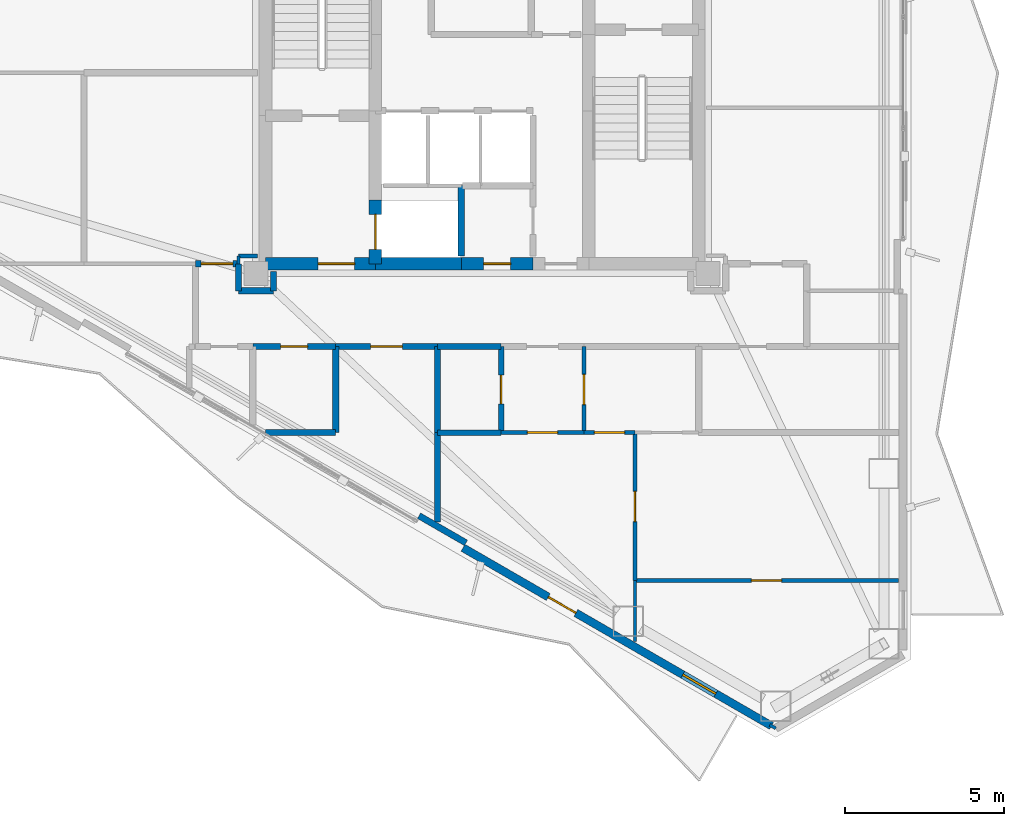
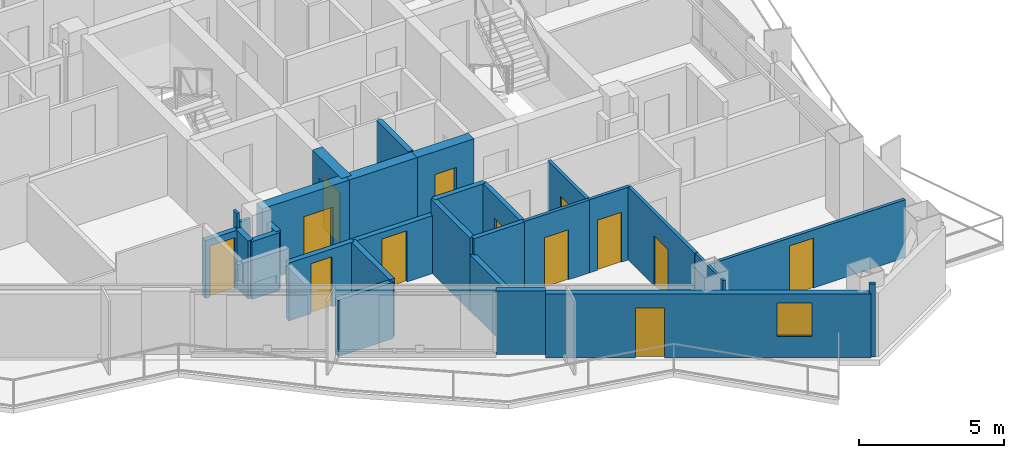
# One storey, part 12 of 18: 29 walls, 13 doors, 1 window, 14 openings.
"""IFC4 building model written with IfcOpenShell, lengths in metres."""

from ifc_helpers import new_model, si_unit, direction, frame, frame_2d, origin, place, context, subcontext, project, spatial, rectangle, extrude, material, layer, layer_set, type_object, element, fill, save


model = new_model("IFC4")

# Units and contexts
model_context = context("Model", 3, precision=1e-05, world=origin(), true_north=direction((0.0, 1.0)))
body_context = subcontext(model_context, "Body", "Model", "MODEL_VIEW")
ifc_project = project(units=[si_unit("LENGTHUNIT", "METRE"), si_unit("AREAUNIT", "SQUARE_METRE"), si_unit("VOLUMEUNIT", "CUBIC_METRE"), si_unit("PLANEANGLEUNIT", "RADIAN"), si_unit("MASSUNIT", "GRAM", prefix="KILO")], contexts=[model_context])

# Site, building, storey
site_placement = place(None, origin())
site = spatial("IfcSite", under=ifc_project, at=site_placement, CompositionType="ELEMENT")
building_placement = place(site_placement, origin())
building = spatial("IfcBuilding", under=site, at=building_placement, Name="Mersakhor Tower and Convention Hall", CompositionType="ELEMENT")
storey_placement = place(building_placement, frame((0.0, 0.0, 137.699951171875)))
storey = spatial("IfcBuildingStorey", under=building, at=storey_placement, Name="L38", CompositionType="ELEMENT", Elevation=137.699951171875)

# Wall, openings, door, window
ifc_material_1 = material(Name="Precast concrete C40/50", Category="concrete")
ifc_layer_1 = layer(ifc_material_1, 0.25)
ifc_layer_set_1 = layer_set([ifc_layer_1], Name="Precast concrete C40/50")
wall_type_1 = type_object("IfcWallType", Name="WL-EXT-250", PredefinedType="SOLIDWALL", material=ifc_layer_set_1)
wall_1_placement = place(storey_placement, frame((38.090576171875, 6.2373046875, 0.0), z_axis=(0.0, 0.0, 1.0), x_axis=(-0.86602239209, 0.500005216371, 0.0)))
wall_1 = element("IfcWall", 1, at=wall_1_placement, inside=storey, type_object=wall_type_1, Name="L38 Exterior Facade Wall F3-B1", PredefinedType="SOLIDWALL", context=body_context, shape_type="SweptSolid", body=[
    extrude(rectangle(XDim=11.18603515625, YDim=0.25, at=frame_2d((5.593017578125, 0.0))), origin(), (0.0, 0.0, 1.0), 2.679931640625),
])
opening_1_placement = place(wall_1_placement, frame((7.094970703125, 0.0, 0.0)))
opening_1 = element("IfcOpeningElement", 2, at=opening_1_placement, cuts=wall_1, Name="Opening BD-01", PredefinedType="OPENING", context=body_context, shape_type="SweptSolid", body=[
    extrude(rectangle(XDim=1.0, YDim=2.10009765625, at=frame_2d((0.5, 1.050048828125))), frame((0.0, 0.135009765625, 0.0), z_axis=(0.0, -1.0, 0.0), x_axis=(1.0, 0.0, 0.0)), (0.0, 0.0, 1.0), 0.27001953125),
])
opening_2_placement = place(wall_1_placement, frame((2.02001953125, 0.0, 0.89990234375)))
opening_2 = element("IfcOpeningElement", 3, at=opening_2_placement, cuts=wall_1, Name="Opening W-01", PredefinedType="OPENING", context=body_context, shape_type="SweptSolid", body=[
    extrude(rectangle(XDim=1.199951171875, YDim=1.39990234375, at=frame_2d((0.60009765625, 0.699951171875))), frame((0.0, 0.135009765625, 0.0), z_axis=(0.0, -1.0, 0.0), x_axis=(1.0, 0.0, 0.0)), (0.0, 0.0, 1.0), 0.27001953125),
])
ifc_material_2 = material(Name="Thermally broken dark aluminium and safety glass", Category="aluminium")
door_type_1 = type_object("IfcDoorType", Name="DR-BAL-100x210", OperationType="NOTDEFINED", PredefinedType="DOOR", material=ifc_material_2)
door_1_placement = place(opening_1_placement, origin())
door_1 = element("IfcDoor", 4, at=door_1_placement, inside=storey, type_object=door_type_1, Name="L38 Balcony Terrace Door F3-B1", OperationType="SINGLE_SWING_LEFT", OverallHeight=2.10009765625, OverallWidth=1.0, PredefinedType="DOOR", context=body_context, shape_type="SweptSolid", body=[
    extrude(rectangle(XDim=1.0, YDim=2.10009765625, at=frame_2d((0.5, 1.050048828125))), frame((0.0, 0.02490234375, 0.0), z_axis=(0.0, -1.0, 0.0), x_axis=(1.0, 0.0, 0.0)), (0.0, 0.0, 1.0), 0.050048828125),
])
fill(opening_1, door_1)
ifc_material_3 = material(Name="Dark solar low-E glazed aluminium window", Category="aluminium")
window_type = type_object("IfcWindowType", Name="WN-RES-120x150", PartitioningType="SINGLE_PANEL", PredefinedType="WINDOW", material=ifc_material_3)
window_placement = place(opening_2_placement, origin())
window = element("IfcWindow", 5, at=window_placement, inside=storey, type_object=window_type, Name="L38 Bedroom Facade Window F3-B1-1", OverallHeight=1.39990234375, OverallWidth=1.199951171875, PartitioningType="SINGLE_PANEL", PredefinedType="WINDOW", context=body_context, shape_type="SweptSolid", body=[
    extrude(rectangle(XDim=1.199951171875, YDim=1.39990234375, at=frame_2d((0.60009765625, 0.699951171875))), frame((0.0, 0.030029296875, 0.0), z_axis=(0.0, -1.0, 0.0), x_axis=(1.0, 0.0, 0.0)), (0.0, 0.0, 1.0), 0.06005859375),
])
fill(opening_2, window)

# Wall
ifc_material_4 = material(Name="Precast concrete C40/50", Category="concrete")
ifc_layer_2 = layer(ifc_material_4, 0.199951171875)
ifc_layer_set_2 = layer_set([ifc_layer_2], Name="Precast concrete C40/50")
wall_type_2 = type_object("IfcWallType", Name="WL-PAR-200", PredefinedType="PARAPET", material=ifc_layer_set_2)
wall_2_placement = place(storey_placement, frame((28.4931640625, 11.986328125, 0.0), z_axis=(0.0, 0.0, 1.0), x_axis=(-0.86605165483, 0.499954529098, 0.0)))
element("IfcWall", 6, at=wall_2_placement, inside=storey, type_object=wall_type_2, Name="L38 Column Pier Cladding Wall F3-C1", PredefinedType="PARAPET", context=body_context, shape_type="SweptSolid", body=[
    extrude(rectangle(XDim=1.699951171875, YDim=0.199951171875, at=frame_2d((0.85009765625, 0.0))), origin(), (0.0, 0.0, 1.0), 2.679931640625),
])

# Wall, opening, door
ifc_material_5 = material(Name="Moisture-resistant acoustic drywall studwork", Category="other")
ifc_layer_3 = layer(ifc_material_5, 0.175048828125)
ifc_layer_set_3 = layer_set([ifc_layer_3], Name="Moisture-resistant acoustic drywall studwork")
wall_type_3 = type_object("IfcWallType", Name="WL-PLM-175", PredefinedType="PLUMBINGWALL", material=ifc_layer_set_3)
wall_3_placement = place(storey_placement, frame((29.60009765625, 15.449951171875, 0.0), z_axis=(0.0, 0.0, 1.0), x_axis=(0.0, 1.0, 0.0)))
wall_3 = element("IfcWall", 7, at=wall_3_placement, inside=storey, type_object=wall_type_3, Name="L38 Interior Partition Wall P-056", PredefinedType="PLUMBINGWALL", context=body_context, shape_type="SweptSolid", body=[
    extrude(rectangle(XDim=2.699951171875, YDim=0.175048828125, at=frame_2d((1.35009765625, 0.0))), origin(), (0.0, 0.0, 1.0), 3.06005859375),
])
opening_3_placement = place(wall_3_placement, frame((0.89990234375, 0.0, 0.0)))
opening_3 = element("IfcOpeningElement", 8, at=opening_3_placement, cuts=wall_3, Name="Opening WD-01", PredefinedType="OPENING", context=body_context, shape_type="SweptSolid", body=[
    extrude(rectangle(XDim=0.89990234375, YDim=2.10009765625, at=frame_2d((0.449951171875, 1.050048828125))), frame((0.0, 0.097412109375, 0.0), z_axis=(0.0, -1.0, 0.0), x_axis=(1.0, 0.0, 0.0)), (0.0, 0.0, 1.0), 0.195068359375),
])
ifc_material_6 = material(Name="Solid-core hardwood leaf in painted steel frame", Category="steel")
door_type_2 = type_object("IfcDoorType", Name="DR-INT-WET-090x210", OperationType="NOTDEFINED", PredefinedType="DOOR", material=ifc_material_6)
door_2_placement = place(opening_3_placement, origin())
door_2 = element("IfcDoor", 9, at=door_2_placement, inside=storey, type_object=door_type_2, Name="L38 L38 Flat S3 Apartment Hall to L38 Flat S3 Bathroom Door", OperationType="SINGLE_SWING_LEFT", OverallHeight=2.10009765625, OverallWidth=0.89990234375, PredefinedType="DOOR", context=body_context, shape_type="SweptSolid", body=[
    extrude(rectangle(XDim=0.89990234375, YDim=2.10009765625, at=frame_2d((0.449951171875, 1.050048828125))), frame((0.0, 0.02490234375, 0.0), z_axis=(0.0, -1.0, 0.0), x_axis=(1.0, 0.0, 0.0)), (0.0, 0.0, 1.0), 0.050048828125),
])
fill(opening_3, door_2)

# Walls
wall_4_placement = place(storey_placement, frame((29.60009765625, 15.449951171875, 0.0), z_axis=(0.0, 0.0, 1.0), x_axis=(-1.0, 0.0, 0.0)))
element("IfcWall", 10, at=wall_4_placement, inside=storey, type_object=wall_type_3, Name="L38 Interior Partition Wall P-074", PredefinedType="PLUMBINGWALL", context=body_context, shape_type="SweptSolid", body=[
    extrude(rectangle(XDim=2.0, YDim=0.175048828125, at=frame_2d((1.0, 0.0))), origin(), (0.0, 0.0, 1.0), 3.06005859375),
])
ifc_material_7 = material(Name="Lightweight gypsum partition", Category="other")
ifc_layer_4 = layer(ifc_material_7, 0.10009765625)
ifc_layer_set_4 = layer_set([ifc_layer_4], Name="Lightweight gypsum partition")
wall_type_4 = type_object("IfcWallType", Name="WL-PRT-100", PredefinedType="PARTITIONING", material=ifc_layer_set_4)
wall_5_placement = place(storey_placement, frame((21.35009765625, 21.0, 0.0), z_axis=(0.0, 0.0, 1.0), x_axis=(0.0, -1.0, 0.0)))
element("IfcWall", 11, at=wall_5_placement, inside=storey, type_object=wall_type_4, Name="L38 Interior Partition Wall P-096", PredefinedType="PARTITIONING", context=body_context, shape_type="SweptSolid", body=[
    extrude(rectangle(XDim=0.25, YDim=0.10009765625, at=frame_2d((0.125, 0.0))), origin(), (0.0, 0.0, 1.0), 3.06005859375),
])
wall_6_placement = place(storey_placement, frame((33.800048828125, 10.81005859375, 0.0), z_axis=(0.0, 0.0, 1.0), x_axis=(0.0, -1.0, 0.0)))
element("IfcWall", 12, at=wall_6_placement, inside=storey, type_object=wall_type_4, Name="L38 Interior Partition Wall P-120", PredefinedType="PARTITIONING", context=body_context, shape_type="SweptSolid", body=[
    extrude(rectangle(XDim=1.92333984375, YDim=0.10009765625, at=frame_2d((0.961669921875, 0.0))), origin(), (0.0, 0.0, 1.0), 3.06005859375),
])
wall_7_placement = place(storey_placement, frame((38.220703125, 6.162109375, 0.0), z_axis=(0.0, 0.0, 1.0), x_axis=(-0.865581379588, 0.500768285049, 0.0)))
element("IfcWall", 13, at=wall_7_placement, inside=storey, type_object=wall_type_4, Name="L38 Interior Partition Wall P-122", PredefinedType="PARTITIONING", context=body_context, shape_type="SweptSolid", body=[
    extrude(rectangle(XDim=0.215576171875, YDim=0.10009765625, at=frame_2d((0.10791015625, 0.0))), origin(), (0.0, 0.0, 1.0), 3.06005859375),
])

# Wall, opening, door
ifc_material_8 = material(Name="Gypsum board acoustic partition", Category="other")
ifc_layer_5 = layer(ifc_material_8, 0.125)
ifc_layer_set_5 = layer_set([ifc_layer_5], Name="Gypsum board acoustic partition")
wall_type_5 = type_object("IfcWallType", Name="WL-PRT-125", PredefinedType="PARTITIONING", material=ifc_layer_set_5)
wall_8_placement = place(storey_placement, frame((32.199951171875, 15.449951171875, 0.0), z_axis=(0.0, 0.0, 1.0), x_axis=(-1.0, 0.0, 0.0)))
wall_8 = element("IfcWall", 14, at=wall_8_placement, inside=storey, type_object=wall_type_5, Name="L38 Interior Partition Wall P-055", PredefinedType="PARTITIONING", context=body_context, shape_type="SweptSolid", body=[
    extrude(rectangle(XDim=2.599853515625, YDim=0.125, at=frame_2d((1.2998046875, 0.0))), origin(), (0.0, 0.0, 1.0), 3.06005859375),
])
opening_4_placement = place(wall_8_placement, frame((0.824951171875, 0.0, 0.0)))
opening_4 = element("IfcOpeningElement", 15, at=opening_4_placement, cuts=wall_8, Name="Opening RD-01", PredefinedType="OPENING", context=body_context, shape_type="SweptSolid", body=[
    extrude(rectangle(XDim=0.949951171875, YDim=2.10009765625, at=frame_2d((0.47509765625, 1.050048828125))), frame((0.0, 0.072509765625, 0.0), z_axis=(0.0, -1.0, 0.0), x_axis=(1.0, 0.0, 0.0)), (0.0, 0.0, 1.0), 0.14501953125),
])
ifc_material_9 = material(Name="Solid-core hardwood leaf in painted steel frame", Category="steel")
door_type_3 = type_object("IfcDoorType", Name="DR-INT-RM-095x210", OperationType="NOTDEFINED", PredefinedType="DOOR", material=ifc_material_9)
door_3_placement = place(opening_4_placement, origin())
door_3 = element("IfcDoor", 16, at=door_3_placement, inside=storey, type_object=door_type_3, Name="L38 L38 Flat S3 Apartment Hall to L38 Flat S3 Living and Dining Room Door", OperationType="SINGLE_SWING_LEFT", OverallHeight=2.10009765625, OverallWidth=0.949951171875, PredefinedType="DOOR", context=body_context, shape_type="SweptSolid", body=[
    extrude(rectangle(XDim=0.949951171875, YDim=2.10009765625, at=frame_2d((0.47509765625, 1.050048828125))), frame((0.0, 0.02490234375, 0.0), z_axis=(0.0, -1.0, 0.0), x_axis=(1.0, 0.0, 0.0)), (0.0, 0.0, 1.0), 0.050048828125),
])
fill(opening_4, door_3)

wall_9_placement = place(storey_placement, frame((32.199951171875, 18.14990234375, 0.0), z_axis=(0.0, 0.0, 1.0), x_axis=(0.0, -1.0, 0.0)))
wall_9 = element("IfcWall", 17, at=wall_9_placement, inside=storey, type_object=wall_type_5, Name="L38 Interior Partition Wall P-057", PredefinedType="PARTITIONING", context=body_context, shape_type="SweptSolid", body=[
    extrude(rectangle(XDim=2.699951171875, YDim=0.125, at=frame_2d((1.35009765625, 0.0))), origin(), (0.0, 0.0, 1.0), 3.06005859375),
])
opening_5_placement = place(wall_9_placement, frame((0.875, 0.0, 0.0)))
opening_5 = element("IfcOpeningElement", 18, at=opening_5_placement, cuts=wall_9, Name="Opening RD-01", PredefinedType="OPENING", context=body_context, shape_type="SweptSolid", body=[
    extrude(rectangle(XDim=0.949951171875, YDim=2.10009765625, at=frame_2d((0.47509765625, 1.050048828125))), frame((0.0, 0.072509765625, 0.0), z_axis=(0.0, -1.0, 0.0), x_axis=(1.0, 0.0, 0.0)), (0.0, 0.0, 1.0), 0.14501953125),
])
door_4_placement = place(opening_5_placement, origin())
door_4 = element("IfcDoor", 19, at=door_4_placement, inside=storey, type_object=door_type_3, Name="L38 L38 Flat S3 Apartment Hall to L38 Flat S3 Kitchen Door", OperationType="SINGLE_SWING_RIGHT", OverallHeight=2.10009765625, OverallWidth=0.949951171875, PredefinedType="DOOR", context=body_context, shape_type="SweptSolid", body=[
    extrude(rectangle(XDim=0.949951171875, YDim=2.10009765625, at=frame_2d((0.47509765625, 1.050048828125))), frame((0.0, 0.02490234375, 0.0), z_axis=(0.0, -1.0, 0.0), x_axis=(1.0, 0.0, 0.0)), (0.0, 0.0, 1.0), 0.050048828125),
])
fill(opening_5, door_4)

wall_10_placement = place(storey_placement, frame((33.800048828125, 15.449951171875, 0.0), z_axis=(0.0, 0.0, 1.0), x_axis=(-1.0, 0.0, 0.0)))
wall_10 = element("IfcWall", 20, at=wall_10_placement, inside=storey, type_object=wall_type_5, Name="L38 Interior Partition Wall P-077", PredefinedType="PARTITIONING", context=body_context, shape_type="SweptSolid", body=[
    extrude(rectangle(XDim=1.60009765625, YDim=0.125, at=frame_2d((0.800048828125, 0.0))), origin(), (0.0, 0.0, 1.0), 3.06005859375),
])
opening_6_placement = place(wall_10_placement, frame((0.324951171875, 0.0, 0.0)))
opening_6 = element("IfcOpeningElement", 21, at=opening_6_placement, cuts=wall_10, Name="Opening RD-01", PredefinedType="OPENING", context=body_context, shape_type="SweptSolid", body=[
    extrude(rectangle(XDim=0.949951171875, YDim=2.10009765625, at=frame_2d((0.47509765625, 1.050048828125))), frame((0.0, 0.072509765625, 0.0), z_axis=(0.0, -1.0, 0.0), x_axis=(1.0, 0.0, 0.0)), (0.0, 0.0, 1.0), 0.14501953125),
])
door_5_placement = place(opening_6_placement, origin())
door_5 = element("IfcDoor", 22, at=door_5_placement, inside=storey, type_object=door_type_3, Name="L38 L38 Flat S3 Kitchen to L38 Flat S3 Living and Dining Room Door", OperationType="SINGLE_SWING_LEFT", OverallHeight=2.10009765625, OverallWidth=0.949951171875, PredefinedType="DOOR", context=body_context, shape_type="SweptSolid", body=[
    extrude(rectangle(XDim=0.949951171875, YDim=2.10009765625, at=frame_2d((0.47509765625, 1.050048828125))), frame((0.0, 0.02490234375, 0.0), z_axis=(0.0, -1.0, 0.0), x_axis=(1.0, 0.0, 0.0)), (0.0, 0.0, 1.0), 0.050048828125),
])
fill(opening_6, door_5)

# Wall
wall_11_placement = place(storey_placement, frame((21.949951171875, 21.0, 0.0), z_axis=(0.0, 0.0, 1.0), x_axis=(-1.0, 0.0, 0.0)))
element("IfcWall", 23, at=wall_11_placement, inside=storey, type_object=wall_type_5, Name="L38 Interior Partition Wall P-095", PredefinedType="PARTITIONING", context=body_context, shape_type="SweptSolid", body=[
    extrude(rectangle(XDim=0.599853515625, YDim=0.125, at=frame_2d((0.2998046875, 0.0))), origin(), (0.0, 0.0, 1.0), 2.50830078125),
])

# Wall, opening, door
wall_12_placement = place(storey_placement, frame((33.800048828125, 15.449951171875, 0.0), z_axis=(0.0, 0.0, 1.0), x_axis=(0.0, -1.0, 0.0)))
wall_12 = element("IfcWall", 24, at=wall_12_placement, inside=storey, type_object=wall_type_5, Name="L38 Interior Partition Wall P-119", PredefinedType="PARTITIONING", context=body_context, shape_type="SweptSolid", body=[
    extrude(rectangle(XDim=4.639892578125, YDim=0.125, at=frame_2d((2.31982421875, 0.0))), origin(), (0.0, 0.0, 1.0), 3.06005859375),
])
opening_7_placement = place(wall_12_placement, frame((1.844970703125, 0.0, 0.0)))
opening_7 = element("IfcOpeningElement", 25, at=opening_7_placement, cuts=wall_12, Name="Opening RD-01", PredefinedType="OPENING", context=body_context, shape_type="SweptSolid", body=[
    extrude(rectangle(XDim=0.949951171875, YDim=2.10009765625, at=frame_2d((0.47509765625, 1.050048828125))), frame((0.0, 0.072509765625, 0.0), z_axis=(0.0, -1.0, 0.0), x_axis=(1.0, 0.0, 0.0)), (0.0, 0.0, 1.0), 0.14501953125),
])
door_6_placement = place(opening_7_placement, origin())
door_6 = element("IfcDoor", 26, at=door_6_placement, inside=storey, type_object=door_type_3, Name="L38 L38 Flat S3 Living and Dining Room to L38 Flat S3 Dining Room Door", OperationType="SINGLE_SWING_LEFT", OverallHeight=2.10009765625, OverallWidth=0.949951171875, PredefinedType="DOOR", context=body_context, shape_type="SweptSolid", body=[
    extrude(rectangle(XDim=0.949951171875, YDim=2.10009765625, at=frame_2d((0.47509765625, 1.050048828125))), frame((0.0, 0.02490234375, 0.0), z_axis=(0.0, -1.0, 0.0), x_axis=(1.0, 0.0, 0.0)), (0.0, 0.0, 1.0), 0.050048828125),
])
fill(opening_7, door_6)

wall_13_placement = place(storey_placement, frame((33.800048828125, 10.81005859375, 0.0), z_axis=(0.0, 0.0, 1.0), x_axis=(1.0, 0.0, 0.0)))
wall_13 = element("IfcWall", 27, at=wall_13_placement, inside=storey, type_object=wall_type_5, Name="L38 Interior Partition Wall P-121", PredefinedType="PARTITIONING", context=body_context, shape_type="SweptSolid", body=[
    extrude(rectangle(XDim=8.270263671875, YDim=0.125, at=frame_2d((4.13525390625, 0.0))), origin(), (0.0, 0.0, 1.0), 2.432861328125),
])
opening_8_placement = place(wall_13_placement, frame((3.66015625, 0.0, 0.0)))
opening_8 = element("IfcOpeningElement", 28, at=opening_8_placement, cuts=wall_13, Name="Opening RD-01", PredefinedType="OPENING", context=body_context, shape_type="SweptSolid", body=[
    extrude(rectangle(XDim=0.949951171875, YDim=2.10009765625, at=frame_2d((0.47509765625, 1.050048828125))), frame((0.0, 0.072509765625, 0.0), z_axis=(0.0, -1.0, 0.0), x_axis=(1.0, 0.0, 0.0)), (0.0, 0.0, 1.0), 0.14501953125),
])
door_7_placement = place(opening_8_placement, origin())
door_7 = element("IfcDoor", 29, at=door_7_placement, inside=storey, type_object=door_type_3, Name="L38 L38 Flat S3 Bedroom 1 to L38 Flat S3 Dining Room Door", OperationType="SINGLE_SWING_RIGHT", OverallHeight=2.10009765625, OverallWidth=0.949951171875, PredefinedType="DOOR", context=body_context, shape_type="SweptSolid", body=[
    extrude(rectangle(XDim=0.949951171875, YDim=2.10009765625, at=frame_2d((0.47509765625, 1.050048828125))), frame((0.0, 0.02490234375, 0.0), z_axis=(0.0, -1.0, 0.0), x_axis=(1.0, 0.0, 0.0)), (0.0, 0.0, 1.0), 0.050048828125),
])
fill(opening_8, door_7)

# Walls
ifc_material_10 = material(Name="Acoustic concrete blockwork and gypsum board", Category="masonry")
ifc_layer_6 = layer(ifc_material_10, 0.199951171875)
ifc_layer_set_6 = layer_set([ifc_layer_6], Name="Acoustic concrete blockwork and gypsum board")
wall_type_6 = type_object("IfcWallType", Name="WL-PRT-200", PredefinedType="PARTITIONING", material=ifc_layer_set_6)
wall_14_placement = place(storey_placement, frame((28.35009765625, 23.199951171875, 0.0), z_axis=(0.0, 0.0, 1.0), x_axis=(0.0, -1.0, 0.0)))
element("IfcWall", 30, at=wall_14_placement, inside=storey, type_object=wall_type_6, Name="L38 Interior Partition Wall P-003", PredefinedType="PARTITIONING", context=body_context, shape_type="SweptSolid", body=[
    extrude(rectangle(XDim=2.199951171875, YDim=0.199951171875, at=frame_2d((1.10009765625, 0.0))), origin(), (0.0, 0.0, 1.0), 3.06005859375),
])
wall_15_placement = place(storey_placement, frame((22.449951171875, 19.89990234375, 0.0), z_axis=(0.0, 0.0, 1.0), x_axis=(0.0, 1.0, 0.0)))
element("IfcWall", 31, at=wall_15_placement, inside=storey, type_object=wall_type_6, Name="L38 Interior Partition Wall P-034", PredefinedType="PARTITIONING", context=body_context, shape_type="SweptSolid", body=[
    extrude(rectangle(XDim=0.60009765625, YDim=0.199951171875, at=frame_2d((0.300048828125, 0.0))), origin(), (0.0, 0.0, 1.0), 2.432861328125),
])
wall_16_placement = place(storey_placement, frame((29.60009765625, 18.14990234375, 0.0), z_axis=(0.0, 0.0, 1.0), x_axis=(-1.0, 0.0, 0.0)))
element("IfcWall", 32, at=wall_16_placement, inside=storey, type_object=wall_type_6, Name="L38 Interior Partition Wall P-044", PredefinedType="PARTITIONING", context=body_context, shape_type="SweptSolid", body=[
    extrude(rectangle(XDim=2.0, YDim=0.199951171875, at=frame_2d((1.0, 0.0))), origin(), (0.0, 0.0, 1.0), 3.06005859375),
])

# Wall, opening, door
wall_17_placement = place(storey_placement, frame((27.60009765625, 18.14990234375, 0.0), z_axis=(0.0, 0.0, 1.0), x_axis=(-1.0, 0.0, 0.0)))
wall_17 = element("IfcWall", 33, at=wall_17_placement, inside=storey, type_object=wall_type_6, Name="L38 Interior Partition Wall P-045", PredefinedType="PARTITIONING", context=body_context, shape_type="SweptSolid", body=[
    extrude(rectangle(XDim=3.2001953125, YDim=0.199951171875, at=frame_2d((1.60009765625, 0.0))), origin(), (0.0, 0.0, 1.0), 2.432861328125),
])
opening_9_placement = place(wall_17_placement, frame((1.10009765625, 0.0, 0.0)))
opening_9 = element("IfcOpeningElement", 34, at=opening_9_placement, cuts=wall_17, Name="Opening FD-01", PredefinedType="OPENING", context=body_context, shape_type="SweptSolid", body=[
    extrude(rectangle(XDim=1.0, YDim=2.14990234375, at=frame_2d((0.5, 1.074951171875))), frame((0.0, 0.10986328125, 0.0), z_axis=(0.0, -1.0, 0.0), x_axis=(1.0, 0.0, 0.0)), (0.0, 0.0, 1.0), 0.219970703125),
])
ifc_material_11 = material(Name="Fire-rated hardwood leaf and painted steel frame", Category="steel")
door_type_4 = type_object("IfcDoorType", Name="DR-INT-FLT-100x215", OperationType="NOTDEFINED", PredefinedType="DOOR", material=ifc_material_11)
door_8_placement = place(opening_9_placement, origin())
door_8 = element("IfcDoor", 35, at=door_8_placement, inside=storey, type_object=door_type_4, Name="L38 Residential South Gallery Corridor to L38 Floor Shared Tea Pantry 2-3 Door", OperationType="SINGLE_SWING_LEFT", OverallHeight=2.14990234375, OverallWidth=1.0, PredefinedType="DOOR", context=body_context, shape_type="SweptSolid", body=[
    extrude(rectangle(XDim=1.0, YDim=2.14990234375, at=frame_2d((0.5, 1.074951171875))), frame((0.0, 0.02490234375, 0.0), z_axis=(0.0, -1.0, 0.0), x_axis=(1.0, 0.0, 0.0)), (0.0, 0.0, 1.0), 0.050048828125),
])
fill(opening_9, door_8)

wall_18_placement = place(storey_placement, frame((24.39990234375, 18.14990234375, 0.0), z_axis=(0.0, 0.0, 1.0), x_axis=(-1.0, 0.0, 0.0)))
wall_18 = element("IfcWall", 36, at=wall_18_placement, inside=storey, type_object=wall_type_6, Name="L38 Interior Partition Wall P-046", PredefinedType="PARTITIONING", context=body_context, shape_type="SweptSolid", body=[
    extrude(rectangle(XDim=2.599853515625, YDim=0.199951171875, at=frame_2d((1.2998046875, 0.0))), origin(), (0.0, 0.0, 1.0), 2.432861328125),
])
opening_10_placement = place(wall_18_placement, frame((0.875, 0.0, 0.0)))
opening_10 = element("IfcOpeningElement", 37, at=opening_10_placement, cuts=wall_18, Name="Opening SVD-01", PredefinedType="OPENING", context=body_context, shape_type="SweptSolid", body=[
    extrude(rectangle(XDim=0.85009765625, YDim=2.10009765625, at=frame_2d((0.425048828125, 1.050048828125))), frame((0.0, 0.10986328125, 0.0), z_axis=(0.0, -1.0, 0.0), x_axis=(1.0, 0.0, 0.0)), (0.0, 0.0, 1.0), 0.219970703125),
])
ifc_material_12 = material(Name="Fire-rated hardwood leaf and painted steel frame", Category="steel")
door_type_5 = type_object("IfcDoorType", Name="DR-INT-SVC-085x210", OperationType="NOTDEFINED", PredefinedType="DOOR", material=ifc_material_12)
door_9_placement = place(opening_10_placement, origin())
door_9 = element("IfcDoor", 38, at=door_9_placement, inside=storey, type_object=door_type_5, Name="L38 Residential South Gallery Corridor to L38 Floor Household Store Room 2-1 Door", OperationType="SINGLE_SWING_RIGHT", OverallHeight=2.10009765625, OverallWidth=0.85009765625, PredefinedType="DOOR", context=body_context, shape_type="SweptSolid", body=[
    extrude(rectangle(XDim=0.85009765625, YDim=2.10009765625, at=frame_2d((0.425048828125, 1.050048828125))), frame((0.0, 0.02490234375, 0.0), z_axis=(0.0, -1.0, 0.0), x_axis=(1.0, 0.0, 0.0)), (0.0, 0.0, 1.0), 0.050048828125),
])
fill(opening_10, door_9)

wall_19_placement = place(storey_placement, frame((20.0, 20.75, 0.0), z_axis=(0.0, 0.0, 1.0), x_axis=(1.0, 0.0, 0.0)))
wall_19 = element("IfcWall", 39, at=wall_19_placement, inside=storey, type_object=wall_type_6, Name="L38 Interior Partition Wall P-049", PredefinedType="PARTITIONING", context=body_context, shape_type="SweptSolid", body=[
    extrude(rectangle(XDim=1.35009765625, YDim=0.199951171875, at=frame_2d((0.675048828125, 0.0))), origin(), (0.0, 0.0, 1.0), 2.432861328125),
])
opening_11_placement = place(wall_19_placement, frame((0.175048828125, 0.0, 0.0)))
opening_11 = element("IfcOpeningElement", 40, at=opening_11_placement, cuts=wall_19, Name="Opening FD-01", PredefinedType="OPENING", context=body_context, shape_type="SweptSolid", body=[
    extrude(rectangle(XDim=1.0, YDim=2.14990234375, at=frame_2d((0.5, 1.074951171875))), frame((0.0, 0.10986328125, 0.0), z_axis=(0.0, -1.0, 0.0), x_axis=(1.0, 0.0, 0.0)), (0.0, 0.0, 1.0), 0.219970703125),
])
door_10_placement = place(opening_11_placement, origin())
door_10 = element("IfcDoor", 41, at=door_10_placement, inside=storey, type_object=door_type_4, Name="L38 Residential South Gallery Corridor to L38 West Wing Quiet Study Room Door", OperationType="SINGLE_SWING_RIGHT", OverallHeight=2.14990234375, OverallWidth=1.0, PredefinedType="DOOR", context=body_context, shape_type="SweptSolid", body=[
    extrude(rectangle(XDim=1.0, YDim=2.14990234375, at=frame_2d((0.5, 1.074951171875))), frame((0.0, 0.02490234375, 0.0), z_axis=(0.0, -1.0, 0.0), x_axis=(1.0, 0.0, 0.0)), (0.0, 0.0, 1.0), 0.050048828125),
])
fill(opening_11, door_10)

# Walls
wall_20_placement = place(storey_placement, frame((21.35009765625, 20.75, 0.0), z_axis=(0.0, 0.0, 1.0), x_axis=(0.0, -1.0, 0.0)))
element("IfcWall", 42, at=wall_20_placement, inside=storey, type_object=wall_type_6, Name="L38 Interior Partition Wall P-050", PredefinedType="PARTITIONING", context=body_context, shape_type="SweptSolid", body=[
    extrude(rectangle(XDim=0.85009765625, YDim=0.199951171875, at=frame_2d((0.425048828125, 0.0))), origin(), (0.0, 0.0, 1.0), 2.432861328125),
])
wall_21_placement = place(storey_placement, frame((21.35009765625, 19.89990234375, 0.0), z_axis=(0.0, 0.0, 1.0), x_axis=(1.0, 0.0, 0.0)))
element("IfcWall", 43, at=wall_21_placement, inside=storey, type_object=wall_type_6, Name="L38 Interior Partition Wall P-051", PredefinedType="PARTITIONING", context=body_context, shape_type="SweptSolid", body=[
    extrude(rectangle(XDim=1.099853515625, YDim=0.199951171875, at=frame_2d((0.5498046875, 0.0))), origin(), (0.0, 0.0, 1.0), 2.432861328125),
])
wall_22_placement = place(storey_placement, frame((27.60009765625, 15.449951171875, 0.0), z_axis=(0.0, 0.0, 1.0), x_axis=(0.0, 1.0, 0.0)))
element("IfcWall", 44, at=wall_22_placement, inside=storey, type_object=wall_type_6, Name="L38 Interior Partition Wall P-075", PredefinedType="PARTITIONING", context=body_context, shape_type="SweptSolid", body=[
    extrude(rectangle(XDim=2.699951171875, YDim=0.199951171875, at=frame_2d((1.35009765625, 0.0))), origin(), (0.0, 0.0, 1.0), 3.06005859375),
])
wall_23_placement = place(storey_placement, frame((24.39990234375, 18.14990234375, 0.0), z_axis=(0.0, 0.0, 1.0), x_axis=(0.0, -1.0, 0.0)))
element("IfcWall", 45, at=wall_23_placement, inside=storey, type_object=wall_type_6, Name="L38 Interior Partition Wall P-116", PredefinedType="PARTITIONING", context=body_context, shape_type="SweptSolid", body=[
    extrude(rectangle(XDim=2.699951171875, YDim=0.199951171875, at=frame_2d((1.35009765625, 0.0))), origin(), (0.0, 0.0, 1.0), 2.432861328125),
])
wall_24_placement = place(storey_placement, frame((24.39990234375, 15.449951171875, 0.0), z_axis=(0.0, 0.0, 1.0), x_axis=(-1.0, 0.0, 0.0)))
element("IfcWall", 46, at=wall_24_placement, inside=storey, type_object=wall_type_6, Name="L38 Interior Partition Wall P-117", PredefinedType="PARTITIONING", context=body_context, shape_type="SweptSolid", body=[
    extrude(rectangle(XDim=2.197021484375, YDim=0.199951171875, at=frame_2d((1.0986328125, 0.0))), origin(), (0.0, 0.0, 1.0), 2.364990234375),
])
wall_25_placement = place(storey_placement, frame((27.60009765625, 15.449951171875, 0.0), z_axis=(0.0, 0.0, 1.0), x_axis=(0.0, -1.0, 0.0)))
element("IfcWall", 47, at=wall_25_placement, inside=storey, type_object=wall_type_6, Name="L38 Interior Partition Wall P-118", PredefinedType="PARTITIONING", context=body_context, shape_type="SweptSolid", body=[
    extrude(rectangle(XDim=2.804931640625, YDim=0.199951171875, at=frame_2d((1.40234375, 0.0))), origin(), (0.0, 0.0, 1.0), 2.364990234375),
])

# Wall, opening, door
ifc_material_13 = material(Name="Concrete C60/75", Category="concrete")
ifc_layer_7 = layer(ifc_material_13, 0.39990234375)
ifc_layer_set_7 = layer_set([ifc_layer_7], Name="Concrete C60/75")
wall_type_7 = type_object("IfcWallType", Name="WL-SHR-400", PredefinedType="SHEAR", material=ifc_layer_set_7)
wall_26_placement = place(storey_placement, frame((30.60009765625, 20.75, 0.0), z_axis=(0.0, 0.0, 1.0), x_axis=(-1.0, 0.0, 0.0)))
wall_26 = element("IfcWall", 48, at=wall_26_placement, inside=storey, type_object=wall_type_7, Name="L38 Core Wall CW-S2B", PredefinedType="SHEAR", context=body_context, shape_type="SweptSolid", body=[
    extrude(rectangle(XDim=2.25, YDim=0.39990234375, at=frame_2d((1.125, 0.0))), origin(), (0.0, 0.0, 1.0), 3.06005859375),
])
opening_12_placement = place(wall_26_placement, frame((0.699951171875, 0.0, 0.0)))
opening_12 = element("IfcOpeningElement", 49, at=opening_12_placement, cuts=wall_26, Name="Opening SVD-01", PredefinedType="OPENING", context=body_context, shape_type="SweptSolid", body=[
    extrude(rectangle(XDim=0.85009765625, YDim=2.10009765625, at=frame_2d((0.425048828125, 1.050048828125))), frame((0.0, 0.2099609375, 0.0), z_axis=(0.0, -1.0, 0.0), x_axis=(1.0, 0.0, 0.0)), (0.0, 0.0, 1.0), 0.419921875),
])
door_11_placement = place(opening_12_placement, origin())
door_11 = element("IfcDoor", 50, at=door_11_placement, inside=storey, type_object=door_type_5, Name="L38 Residential South Gallery Corridor to Electrical Distribution Room Door", OperationType="SINGLE_SWING_RIGHT", OverallHeight=2.10009765625, OverallWidth=0.85009765625, PredefinedType="DOOR", context=body_context, shape_type="SweptSolid", body=[
    extrude(rectangle(XDim=0.85009765625, YDim=2.10009765625, at=frame_2d((0.425048828125, 1.050048828125))), frame((0.0, 0.02490234375, 0.0), z_axis=(0.0, -1.0, 0.0), x_axis=(1.0, 0.0, 0.0)), (0.0, 0.0, 1.0), 0.050048828125),
])
fill(opening_12, door_11)

# Wall
wall_27_placement = place(storey_placement, frame((28.35009765625, 20.75, 0.0), z_axis=(0.0, 0.0, 1.0), x_axis=(-1.0, 0.0, 0.0)))
element("IfcWall", 51, at=wall_27_placement, inside=storey, type_object=wall_type_7, Name="L38 Core Wall CW-S3", PredefinedType="SHEAR", context=body_context, shape_type="SweptSolid", body=[
    extrude(rectangle(XDim=2.7001953125, YDim=0.39990234375, at=frame_2d((1.35009765625, 0.0))), origin(), (0.0, 0.0, 1.0), 3.06005859375),
])

# Wall, opening, door
wall_28_placement = place(storey_placement, frame((25.64990234375, 20.75, 0.0), z_axis=(0.0, 0.0, 1.0), x_axis=(-1.0, 0.0, 0.0)))
wall_28 = element("IfcWall", 52, at=wall_28_placement, inside=storey, type_object=wall_type_7, Name="L38 Core Wall CW-S4", PredefinedType="SHEAR", context=body_context, shape_type="SweptSolid", body=[
    extrude(rectangle(XDim=3.449951171875, YDim=0.39990234375, at=frame_2d((1.72509765625, 0.0))), origin(), (0.0, 0.0, 1.0), 3.06005859375),
])
opening_13_placement = place(wall_28_placement, frame((0.64990234375, 0.0, 0.0)))
opening_13 = element("IfcOpeningElement", 53, at=opening_13_placement, cuts=wall_28, Name="Opening SD-01", PredefinedType="OPENING", context=body_context, shape_type="SweptSolid", body=[
    extrude(rectangle(XDim=1.14990234375, YDim=2.14990234375, at=frame_2d((0.574951171875, 1.074951171875))), frame((0.0, 0.2099609375, 0.0), z_axis=(0.0, -1.0, 0.0), x_axis=(1.0, 0.0, 0.0)), (0.0, 0.0, 1.0), 0.419921875),
])
ifc_material_14 = material(Name="Fire-rated hardwood leaf and painted steel frame", Category="steel")
door_type_6 = type_object("IfcDoorType", Name="DR-INT-STAIR-115x215", OperationType="NOTDEFINED", PredefinedType="DOOR", material=ifc_material_14)
door_12_placement = place(opening_13_placement, origin())
door_12 = element("IfcDoor", 54, at=door_12_placement, inside=storey, type_object=door_type_6, Name="L38 Firefighting Lobby West Fire Door", OperationType="SINGLE_SWING_LEFT", OverallHeight=2.14990234375, OverallWidth=1.14990234375, PredefinedType="DOOR", context=body_context, shape_type="SweptSolid", body=[
    extrude(rectangle(XDim=1.14990234375, YDim=2.14990234375, at=frame_2d((0.574951171875, 1.074951171875))), frame((0.0, 0.02490234375, 0.0), z_axis=(0.0, -1.0, 0.0), x_axis=(1.0, 0.0, 0.0)), (0.0, 0.0, 1.0), 0.050048828125),
])
fill(opening_13, door_12)

wall_29_placement = place(storey_placement, frame((25.64990234375, 20.75, 0.0), z_axis=(0.0, 0.0, 1.0), x_axis=(0.0, 1.0, 0.0)))
wall_29 = element("IfcWall", 55, at=wall_29_placement, inside=storey, type_object=wall_type_7, Name="L38 Core Wall CS-W-FFL", PredefinedType="SHEAR", context=body_context, shape_type="SweptSolid", body=[
    extrude(rectangle(XDim=2.0, YDim=0.39990234375, at=frame_2d((1.0, 0.0))), origin(), (0.0, 0.0, 1.0), 3.06005859375),
])
opening_14_placement = place(wall_29_placement, frame((0.449951171875, 0.0, 0.0)))
opening_14 = element("IfcOpeningElement", 56, at=opening_14_placement, cuts=wall_29, Name="Opening LD-FFL1", PredefinedType="OPENING", context=body_context, shape_type="SweptSolid", body=[
    extrude(rectangle(XDim=1.10009765625, YDim=2.14990234375, at=frame_2d((0.550048828125, 1.074951171875))), frame((0.0, 0.2099609375, 0.0), z_axis=(0.0, -1.0, 0.0), x_axis=(1.0, 0.0, 0.0)), (0.0, 0.0, 1.0), 0.419921875),
])
ifc_material_15 = material(Name="Fire-rated brushed stainless steel sliding landing door", Category="steel")
door_type_7 = type_object("IfcDoorType", Name="DR-LIFT-SLD-110x215", OperationType="NOTDEFINED", PredefinedType="DOOR", material=ifc_material_15)
door_13_placement = place(opening_14_placement, origin())
door_13 = element("IfcDoor", 57, at=door_13_placement, inside=storey, type_object=door_type_7, Name="L38 Firefighting Lift Landing Door LD-FFL1", OperationType="SLIDING_TO_LEFT", OverallHeight=2.14990234375, OverallWidth=1.10009765625, PredefinedType="DOOR", context=body_context, shape_type="SweptSolid", body=[
    extrude(rectangle(XDim=1.10009765625, YDim=2.14990234375, at=frame_2d((0.550048828125, 1.074951171875))), frame((0.0, 0.02490234375, 0.0), z_axis=(0.0, -1.0, 0.0), x_axis=(1.0, 0.0, 0.0)), (0.0, 0.0, 1.0), 0.050048828125),
])
fill(opening_14, door_13)

save(model, "model.ifc")
